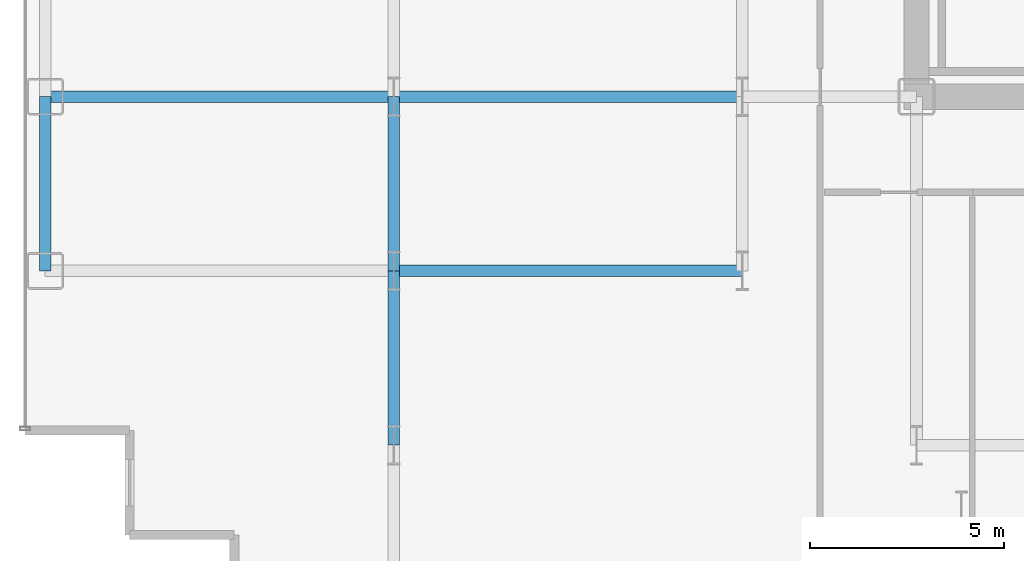
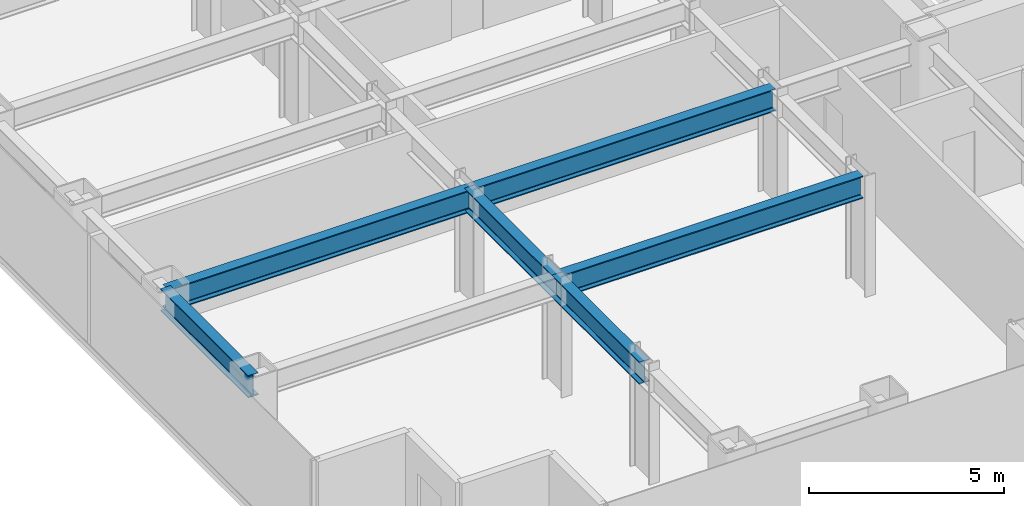
# One storey, part 3 of 26: 6 beams.
"""IFC4 building model written with IfcOpenShell, lengths in metres."""

import ifcopenshell
import ifcopenshell.guid

model = None  # the IFC model being written
_history = None  # IfcOwnerHistory: only IFC2X3 demands one
_inside = {}  # id of a spatial element -> (the spatial element, [elements in it])
_under = {}  # id of a project, library or spatial element -> (it, [spatial elements below it])
_declared = {}  # id of a project -> (the project, [libraries it declares])
_typed = {}  # id of a type object -> (the type object, [elements of that type])
_made_of = {}  # id of a material, layer set ... -> (it, [elements and type objects made of it])


def new_model(schema):
    """Start an empty IFC model of exactly this schema.

    Asked for "IFC4X3", IfcOpenShell would pick the latest addendum, in which some entities
    have other attributes; the version numbers below select the first issue.
    IFC2X3 requires an IfcOwnerHistory on every rooted entity: one is made here for all.
    """
    global model, _history
    if schema == "IFC4X3":
        model = ifcopenshell.file(schema_version=(4, 3, 0, 0))
    else:
        model = ifcopenshell.file(schema=schema)
    _inside.clear()
    _under.clear()
    _declared.clear()
    _typed.clear()
    _made_of.clear()
    _history = None
    if model.schema == "IFC2X3":
        org = make("IfcOrganization", Name="unknown")
        user = make(
            "IfcPersonAndOrganization",
            ThePerson=make("IfcPerson", FamilyName="unknown"),
            TheOrganization=org,
        )
        app = make(
            "IfcApplication",
            ApplicationDeveloper=org,
            Version="unknown",
            ApplicationFullName="unknown",
            ApplicationIdentifier="unknown",
        )
        _history = make(
            "IfcOwnerHistory",
            OwningUser=user,
            OwningApplication=app,
            ChangeAction="ADDED",
            CreationDate=0,
        )
    return model


def make(cls, **values):
    """One entity of the class cls with the attributes given. An attribute that is None is left unset."""
    return model.create_entity(
        cls, **{name: value for name, value in values.items() if value is not None}
    )


def rooted(cls, **values):
    """An entity with a GlobalId (a new one), such as an element, a storey or a relation."""
    return make(cls, GlobalId=ifcopenshell.guid.new(), OwnerHistory=_history, **values)


def si_unit(unit_type, name, prefix=None):
    """IfcSIUnit, for example si_unit("LENGTHUNIT", "METRE", prefix="MILLI")."""
    return make("IfcSIUnit", UnitType=unit_type, Prefix=prefix, Name=name)


def assignment(units):
    """IfcUnitAssignment: the units of a project."""
    return None if units is None else make("IfcUnitAssignment", Units=units)


def point(xyz):
    """IfcCartesianPoint."""
    return None if xyz is None else make("IfcCartesianPoint", Coordinates=xyz)


def direction(xyz):
    """IfcDirection."""
    return None if xyz is None else make("IfcDirection", DirectionRatios=xyz)


def frame(location, z_axis=None, x_axis=None):
    """IfcAxis2Placement3D, a coordinate frame: its origin and axes. An axis left out is left unset."""
    return make(
        "IfcAxis2Placement3D",
        Location=point(location),
        Axis=direction(z_axis),
        RefDirection=direction(x_axis),
    )


def frame_2d(location, x_axis=None):
    """IfcAxis2Placement2D, a coordinate frame in the plane: its origin and x axis."""
    return make(
        "IfcAxis2Placement2D", Location=point(location), RefDirection=direction(x_axis)
    )


def origin():
    """The frame at (0, 0, 0) with its axes left unset."""
    return frame((0.0, 0.0, 0.0))


def origin_2d():
    """The frame at (0, 0) in the plane with its x axis left unset."""
    return frame_2d((0.0, 0.0))


def place(relative_to, where):
    """IfcLocalPlacement: puts the frame where relative to a parent placement (None: the world)."""
    return make(
        "IfcLocalPlacement", PlacementRelTo=relative_to, RelativePlacement=where
    )


def context(
    kind, dimensions, precision=None, world=None, true_north=None, identifier=None
):
    """IfcGeometricRepresentationContext, for example the 3D "Model" context."""
    return make(
        "IfcGeometricRepresentationContext",
        ContextIdentifier=identifier,
        ContextType=kind,
        CoordinateSpaceDimension=dimensions,
        Precision=precision,
        WorldCoordinateSystem=world,
        TrueNorth=true_north,
    )


def subcontext(parent, identifier, kind, view, scale=None):
    """IfcGeometricRepresentationSubContext, for example "Body" below "Model"."""
    return make(
        "IfcGeometricRepresentationSubContext",
        ContextIdentifier=identifier,
        ContextType=kind,
        ParentContext=parent,
        TargetScale=scale,
        TargetView=view,
    )


def project(units=None, contexts=None):
    """IfcProject with its units and contexts."""
    return rooted(
        "IfcProject",
        Name="project",
        RepresentationContexts=contexts,
        UnitsInContext=assignment(units),
    )


def spatial(cls, under=None, at=None, **own):
    """A site, building, storey or space (cls), placed at a placement, below another one or the project."""
    s = rooted(cls, ObjectPlacement=at, **own)
    if under is not None:
        _under.setdefault(under.id(), (under, []))[1].append(s)
    return s


def profile(cls, at=None, kind="AREA", **sizes):
    """A parametric profile (cls). Its sizes go by their IFC names, for example OverallWidth=200.0."""
    return make(cls, ProfileType=kind, Position=at, **sizes)


def i_section(**sizes):
    """IfcIShapeProfileDef."""
    return profile("IfcIShapeProfileDef", **sizes)


def extrude(swept, where, along, depth):
    """IfcExtrudedAreaSolid: the profile swept, set in the frame where, extruded along a direction by depth."""
    return make(
        "IfcExtrudedAreaSolid",
        SweptArea=swept,
        Position=where,
        ExtrudedDirection=direction(along),
        Depth=depth,
    )


def shape(context_of_items, identifier, shape_type, items):
    """IfcShapeRepresentation: the items that make up one representation, for example the "Body"."""
    return make(
        "IfcShapeRepresentation",
        ContextOfItems=context_of_items,
        RepresentationIdentifier=identifier,
        RepresentationType=shape_type,
        Items=items,
    )


def source(mapping_origin, context_of_items, identifier, shape_type, items):
    """IfcRepresentationMap: a shape defined once, which mapped items show again and again."""
    return make(
        "IfcRepresentationMap",
        MappingOrigin=mapping_origin,
        MappedRepresentation=shape(context_of_items, identifier, shape_type, items),
    )


def transform(
    local_origin,
    x_axis=None,
    y_axis=None,
    z_axis=None,
    scale=None,
    scale2=None,
    scale3=None,
    uniform=True,
):
    """IfcCartesianTransformationOperator3D, or its non-uniform kind. x_axis, y_axis, z_axis: its Axis1, 2, 3."""
    if uniform:
        return make(
            "IfcCartesianTransformationOperator3D",
            Axis1=direction(x_axis),
            Axis2=direction(y_axis),
            LocalOrigin=point(local_origin),
            Scale=scale,
            Axis3=direction(z_axis),
        )
    return make(
        "IfcCartesianTransformationOperator3DnonUniform",
        Axis1=direction(x_axis),
        Axis2=direction(y_axis),
        LocalOrigin=point(local_origin),
        Scale=scale,
        Axis3=direction(z_axis),
        Scale2=scale2,
        Scale3=scale3,
    )


def mapped(mapping_source, mapping_target):
    """IfcMappedItem: shows the shape of a source again, moved by a transform."""
    return make(
        "IfcMappedItem", MappingSource=mapping_source, MappingTarget=mapping_target
    )


def material(Name=None, Category=None):
    """IfcMaterial."""
    return make("IfcMaterial", Name=Name, Category=Category)


def material_profile(
    of_material, cross_section, Name=None, Category=None, Priority=None
):
    """IfcMaterialProfile: a cross section and its material."""
    return make(
        "IfcMaterialProfile",
        Name=Name,
        Material=of_material,
        Profile=cross_section,
        Priority=Priority,
        Category=Category,
    )


def profile_set(profiles, Name=None, composite=None):
    """IfcMaterialProfileSet."""
    return make(
        "IfcMaterialProfileSet",
        Name=Name,
        MaterialProfiles=profiles,
        CompositeProfile=composite,
    )


def made_of(thing, what):
    """Note that an element or type object is made of a material, layer set ...; save() writes the relation."""
    if what is not None:
        _made_of.setdefault(what.id(), (what, []))[1].append(thing)
    return thing


def type_object(cls, material=None, **own):
    """A type object (cls), such as IfcWallType, which elements share."""
    return made_of(rooted(cls, **own), material)


def element(
    cls,
    number,
    at=None,
    inside=None,
    cuts=None,
    type_object=None,
    material=None,
    context=None,
    identifier="Body",
    shape_type=None,
    held_by="IfcProductDefinitionShape",
    body=None,
    shapes=None,
    **own,
):
    """One element of the class cls, such as IfcWall. Its Tag is "e" and its number.

    at: its placement. inside: the storey or other place that contains it. cuts: it is an
    opening in that element (IfcRelVoidsElement). A single representation is given by context,
    identifier, shape_type and body (its items); several are given by shapes. held_by: the class
    of the entity that holds the representations. save() writes the other relations.
    """
    e = rooted(cls, Tag="e%d" % number, ObjectPlacement=at, **own)
    if body is not None:
        shapes = [shape(context, identifier, shape_type, body)]
    if shapes is not None:
        e.Representation = make(held_by, Representations=shapes)
    if inside is not None:
        _inside.setdefault(inside.id(), (inside, []))[1].append(e)
    if cuts is not None:
        rooted(
            "IfcRelVoidsElement", RelatingBuildingElement=cuts, RelatedOpeningElement=e
        )
    if type_object is not None:
        _typed.setdefault(type_object.id(), (type_object, []))[1].append(e)
    return made_of(e, material)


def aggregate(whole, parts):
    """IfcRelAggregates: a whole, such as a stair, and the parts it consists of."""
    return rooted("IfcRelAggregates", RelatingObject=whole, RelatedObjects=parts)


def save(model, path):
    """Write the relations noted so far, then the file.

    IfcRelAggregates (storeys below a building ...), IfcRelContainedInSpatialStructure (elements
    in a storey), IfcRelDefinesByType, IfcRelAssociatesMaterial and IfcRelDeclares: one each for
    every whole, place, type object, material and project.
    """
    for whole, parts in _under.values():
        aggregate(whole, parts)
    for where, things in _inside.values():
        rooted(
            "IfcRelContainedInSpatialStructure",
            RelatedElements=things,
            RelatingStructure=where,
        )
    for kind, things in _typed.values():
        rooted("IfcRelDefinesByType", RelatedObjects=things, RelatingType=kind)
    for what, things in _made_of.values():
        rooted("IfcRelAssociatesMaterial", RelatedObjects=things, RelatingMaterial=what)
    for by, libraries in _declared.values():
        rooted("IfcRelDeclares", RelatingContext=by, RelatedDefinitions=libraries)
    model.write(path)


model = new_model("IFC4")

# Units and contexts
model_context = context("Model", 3, precision=1e-05, world=origin(), true_north=direction((0.0, 1.0)))
body_context = subcontext(model_context, "Body", "Model", "MODEL_VIEW")
ifc_project = project(units=[si_unit("LENGTHUNIT", "METRE"), si_unit("AREAUNIT", "SQUARE_METRE"), si_unit("VOLUMEUNIT", "CUBIC_METRE"), si_unit("PLANEANGLEUNIT", "RADIAN"), si_unit("MASSUNIT", "GRAM", prefix="KILO")], contexts=[model_context])

# Site, building, storey
site_placement = place(None, origin())
site = spatial("IfcSite", under=ifc_project, at=site_placement, CompositionType="ELEMENT")
building_placement = place(site_placement, origin())
building = spatial("IfcBuilding", under=site, at=building_placement, Name="Nefas-Gora Pilgrimage Tower", CompositionType="ELEMENT")
storey_placement = place(building_placement, frame((0.0, 0.0, 63.39990234375)))
storey = spatial("IfcBuildingStorey", under=building, at=storey_placement, Name="L14", CompositionType="ELEMENT", Elevation=63.39990234375)

# Beams
ifc_material = material(Name="Steel S355", Category="steel")
ifc_material_profile_1 = material_profile(ifc_material, i_section(OverallWidth=0.300048828125, OverallDepth=0.699951171875, WebThickness=0.01708984375, FlangeThickness=0.031982421875, FilletRadius=0.027099609375, at=origin_2d()), Name="HEB 700")
ifc_profile_set_1 = profile_set([ifc_material_profile_1], Name="Steel S355")
beam_type_1 = type_object("IfcBeamType", Name="BM-SPN-HEB600", PredefinedType="SPANDREL", material=ifc_profile_set_1)
shared_shape_1 = source(origin(), body_context, "Body", "SweptSolid", [
    extrude(i_section(OverallWidth=0.300048828125, OverallDepth=0.699951171875, WebThickness=0.01708984375, FlangeThickness=0.031982421875, FilletRadius=0.027099609375, at=origin_2d()), origin(), (0.0, 0.0, 1.0), 4.5),
])
beam_placement = place(storey_placement, frame((-33.75, -13.5, 3.2001953125), z_axis=(0.0, 1.0, 0.0), x_axis=(-1.0, 0.0, 0.0)))
element("IfcBeam", 1, at=beam_placement, inside=storey, type_object=beam_type_1, Name="L14 SP-01 beam", PredefinedType="SPANDREL", context=body_context, shape_type="MappedRepresentation", body=[
    mapped(shared_shape_1, transform((0.0, 0.0, 0.0), x_axis=(1.0, 0.0, 0.0), y_axis=(0.0, 1.0, 0.0), z_axis=(0.0, 0.0, 1.0), scale=1.0)),
])
ifc_material_profile_2 = material_profile(ifc_material, i_section(OverallWidth=0.300048828125, OverallDepth=0.699951171875, WebThickness=0.01708984375, FlangeThickness=0.031982421875, FilletRadius=0.027099609375, at=origin_2d()), Name="HEB 700")
ifc_profile_set_2 = profile_set([ifc_material_profile_2], Name="Steel S355")
beam_type_2 = type_object("IfcBeamType", Name="BM-GIR-HEB700", PredefinedType="BEAM", material=ifc_profile_set_2)
shared_shape_2 = source(origin(), body_context, "Body", "SweptSolid", [
    extrude(i_section(OverallWidth=0.300048828125, OverallDepth=0.699951171875, WebThickness=0.01708984375, FlangeThickness=0.031982421875, FilletRadius=0.027099609375, at=origin_2d()), origin(), (0.0, 0.0, 1.0), 9.0),
])
for number, where, z_axis, x_axis, name in (
    (2, (-33.75, -9.0, 3.2001953125), (1.0, 0.0, 0.0), (0.0, 1.0, 0.0), "L14 G-02 beam"),
    (3, (-24.75, -13.5, 3.2001953125), (1.0, 0.0, 0.0), (0.0, 1.0, 0.0), "L14 G-02 beam"),
    (4, (-24.75, -9.0, 3.2001953125), (1.0, 0.0, 0.0), (0.0, 1.0, 0.0), "L14 G-02 beam"),
):
    element("IfcBeam", number, at=place(storey_placement, frame(where, z_axis=z_axis, x_axis=x_axis)), inside=storey, type_object=beam_type_2, Name=name, PredefinedType="BEAM", context=body_context, shape_type="MappedRepresentation", body=[
        mapped(shared_shape_2, transform((0.0, 0.0, 0.0), x_axis=(1.0, 0.0, 0.0), y_axis=(0.0, 1.0, 0.0), z_axis=(0.0, 0.0, 1.0), scale=1.0)),
    ])
shared_shape_3 = source(origin(), body_context, "Body", "SweptSolid", [
    extrude(i_section(OverallWidth=0.300048828125, OverallDepth=0.699951171875, WebThickness=0.01708984375, FlangeThickness=0.031982421875, FilletRadius=0.027099609375, at=origin_2d()), origin(), (0.0, 0.0, 1.0), 4.5),
])
for number, where, z_axis, x_axis, name in (
    (5, (-24.75, -18.0, 3.2001953125), (0.0, 1.0, 0.0), (-1.0, 0.0, 0.0), "L14 G-02 beam"),
    (6, (-24.75, -13.5, 3.2001953125), (0.0, 1.0, 0.0), (-1.0, 0.0, 0.0), "L14 G-02 beam"),
):
    element("IfcBeam", number, at=place(storey_placement, frame(where, z_axis=z_axis, x_axis=x_axis)), inside=storey, type_object=beam_type_2, Name=name, PredefinedType="BEAM", context=body_context, shape_type="MappedRepresentation", body=[
        mapped(shared_shape_3, transform((0.0, 0.0, 0.0), x_axis=(1.0, 0.0, 0.0), y_axis=(0.0, 1.0, 0.0), z_axis=(0.0, 0.0, 1.0), scale=1.0)),
    ])

save(model, "model.ifc")
